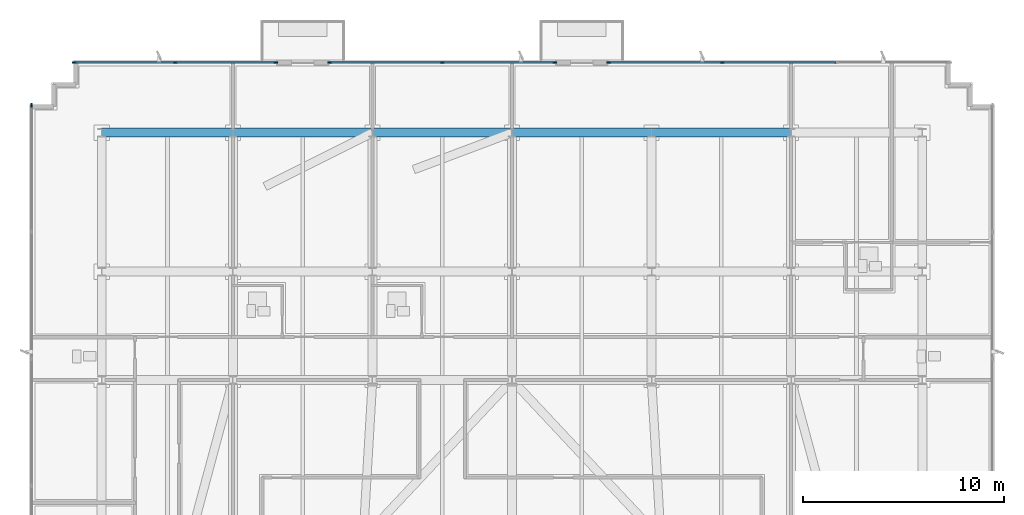
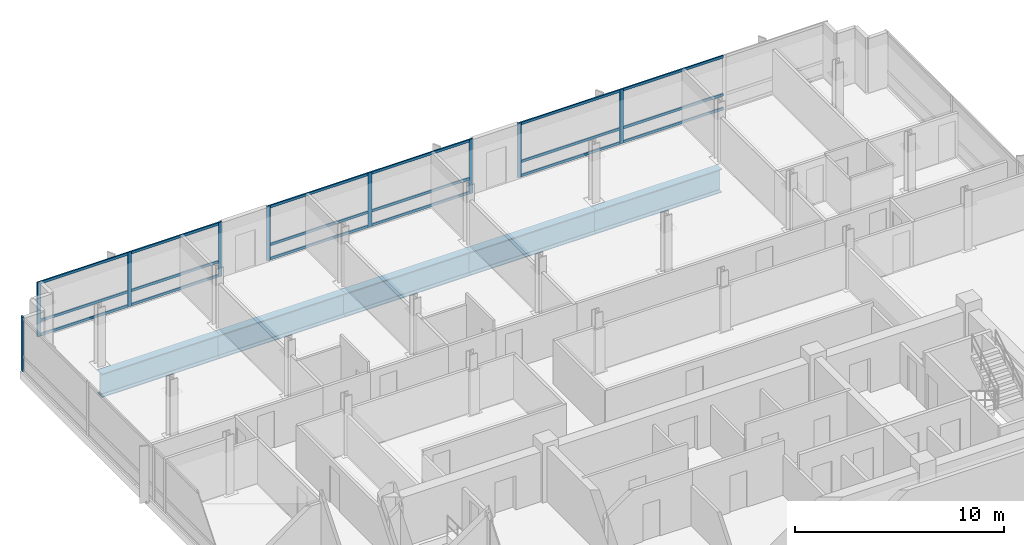
# One storey, part 5 of 16: 27 members, 5 beams, 4 elements without a shape of their own.
"""IFC4 building model written with IfcOpenShell, lengths in metres."""

from ifc_helpers import new_model, si_unit, direction, frame, origin, origin_2d, place, context, subcontext, project, spatial, rectangle, i_section, extrude, material, material_profile, profile_set, type_object, element, aggregate, save


model = new_model("IFC4")

# Units and contexts
model_context = context("Model", 3, precision=1e-05, world=origin(), true_north=direction((0.0, 1.0)))
body_context = subcontext(model_context, "Body", "Model", "MODEL_VIEW")
ifc_project = project(units=[si_unit("LENGTHUNIT", "METRE"), si_unit("AREAUNIT", "SQUARE_METRE"), si_unit("VOLUMEUNIT", "CUBIC_METRE"), si_unit("PLANEANGLEUNIT", "RADIAN"), si_unit("MASSUNIT", "GRAM", prefix="KILO")], contexts=[model_context])

# Site, building, storey
site_placement = place(None, origin())
site = spatial("IfcSite", under=ifc_project, at=site_placement, CompositionType="ELEMENT")
building_placement = place(site_placement, origin())
building = spatial("IfcBuilding", under=site, at=building_placement, Name="Solmavex Isthmus Hotel", CompositionType="ELEMENT")
storey_placement = place(building_placement, frame((0.0, 0.0, 245.39990234375)))
storey = spatial("IfcBuildingStorey", under=building, at=storey_placement, Name="L66", CompositionType="ELEMENT", Elevation=245.39990234375)

# Beams
ifc_material_1 = material(Name="Steel ASTM A572 Grade 50", Category="steel")
ifc_material_profile_1 = material_profile(ifc_material_1, i_section(OverallWidth=0.43994140625, OverallDepth=1.3798828125, WebThickness=0.030029296875, FlangeThickness=0.054931640625, FilletRadius=0.030517578125, at=origin_2d()), Name="I1380X440")
ifc_profile_set_1 = profile_set([ifc_material_profile_1], Name="Steel ASTM A572 Grade 50")
beam_type = type_object("IfcBeamType", Name="BM-TG-I1380", PredefinedType="BEAM", material=ifc_profile_set_1)
beam_placement = place(storey_placement, frame((-20.39990234375, 17.699951171875, -1.139892578125), z_axis=(1.0, 0.0, 0.0), x_axis=(0.0, 1.0, 0.0)))
element("IfcBeam", 1, at=beam_placement, inside=storey, type_object=beam_type, Name="Outrigger Collector Girder L66-UG15", PredefinedType="BEAM", context=body_context, shape_type="SweptSolid", body=[
    extrude(i_section(OverallWidth=0.43994140625, OverallDepth=1.3798828125, WebThickness=0.030029296875, FlangeThickness=0.054931640625, FilletRadius=0.030517578125, at=origin_2d()), origin(), (0.0, 0.0, 1.0), 6.52783203125),
])
for number, where, z_axis, x_axis, name in (
    (2, (-13.8720703125, 17.699951171875, -1.139892578125), (1.0, 0.0, 0.0), (0.0, 1.0, 0.0), "Outrigger Collector Girder L66-UG16"),
    (3, (-6.93603515625, 17.699951171875, -1.139892578125), (1.0, 0.0, 0.0), (0.0, 1.0, 0.0), "Outrigger Collector Girder L66-UG17"),
    (4, (0.0, 17.699951171875, -1.139892578125), (1.0, 0.0, 0.0), (0.0, 1.0, 0.0), "Outrigger Collector Girder L66-UG18"),
    (5, (6.93603515625, 17.699951171875, -1.139892578125), (1.0, 0.0, 0.0), (0.0, 1.0, 0.0), "Outrigger Collector Girder L66-UG19"),
):
    element("IfcBeam", number, at=place(storey_placement, frame(where, z_axis=z_axis, x_axis=x_axis)), inside=storey, type_object=beam_type, Name=name, PredefinedType="BEAM", context=body_context, shape_type="SweptSolid", body=[
        extrude(i_section(OverallWidth=0.43994140625, OverallDepth=1.3798828125, WebThickness=0.030029296875, FlangeThickness=0.054931640625, FilletRadius=0.030517578125, at=origin_2d()), origin(), (0.0, 0.0, 1.0), 6.93603515625),
    ])

# Curtain wall, members
ifc_material_2 = material(Name="Aluminium alloy 6063-T6", Category="aluminium")
curtain_wall_type = type_object("IfcCurtainWallType", Name="CW-SYS-04", PredefinedType="NOTDEFINED", material=ifc_material_2)
curtain_wall_1_placement = place(storey_placement, origin())
curtain_wall_1 = element("IfcCurtainWall", 6, at=curtain_wall_1_placement, inside=storey, type_object=curtain_wall_type, Name="Stick Curtain Wall CWL-L66-N1", PredefinedType="NOTDEFINED")
ifc_material_profile_2 = material_profile(ifc_material_2, rectangle(XDim=0.074951171875, YDim=0.199951171875, at=origin_2d()), Name="CWM-75X200")
ifc_profile_set_2 = profile_set([ifc_material_profile_2], Name="Aluminium alloy 6063-T6")
member_type_1 = type_object("IfcMemberType", Name="CW-SYS-04-MUL", PredefinedType="MULLION", material=ifc_profile_set_2)
member_1_placement = place(storey_placement, frame((-21.762451171875, 21.179931640625, 0.0), z_axis=(0.0, 0.0, 1.0), x_axis=(0.0, 1.0, 0.0)))
member_1 = element("IfcMember", 7, at=member_1_placement, type_object=member_type_1, Name="CW-04 mullion 1", PredefinedType="MULLION", context=body_context, shape_type="SweptSolid", body=[
    extrude(rectangle(XDim=0.074951171875, YDim=0.199951171875, at=origin_2d()), origin(), (0.0, 0.0, 1.0), 3.190185546875),
])
member_2_placement = place(storey_placement, frame((-16.751953125, 21.179931640625, 0.0), z_axis=(0.0, 0.0, 1.0), x_axis=(0.0, 1.0, 0.0)))
member_2 = element("IfcMember", 8, at=member_2_placement, type_object=member_type_1, Name="CW-04 mullion 2", PredefinedType="MULLION", context=body_context, shape_type="SweptSolid", body=[
    extrude(rectangle(XDim=0.074951171875, YDim=0.199951171875, at=origin_2d()), origin(), (0.0, 0.0, 1.0), 3.190185546875),
])
member_3_placement = place(storey_placement, frame((-11.741455078125, 21.179931640625, 0.0), z_axis=(0.0, 0.0, 1.0), x_axis=(0.0, 1.0, 0.0)))
member_3 = element("IfcMember", 9, at=member_3_placement, type_object=member_type_1, Name="CW-04 mullion 3", PredefinedType="MULLION", context=body_context, shape_type="SweptSolid", body=[
    extrude(rectangle(XDim=0.074951171875, YDim=0.199951171875, at=origin_2d()), origin(), (0.0, 0.0, 1.0), 3.190185546875),
])

curtain_wall_2_placement = place(storey_placement, origin())
curtain_wall_2 = element("IfcCurtainWall", 10, at=curtain_wall_2_placement, inside=storey, type_object=curtain_wall_type, Name="Stick Curtain Wall CWL-L66-N2", PredefinedType="NOTDEFINED")
member_4_placement = place(storey_placement, frame((-9.06640625, 21.179931640625, 0.0), z_axis=(0.0, 0.0, 1.0), x_axis=(0.0, 1.0, 0.0)))
member_4 = element("IfcMember", 11, at=member_4_placement, type_object=member_type_1, Name="CW-04 mullion 1", PredefinedType="MULLION", context=body_context, shape_type="SweptSolid", body=[
    extrude(rectangle(XDim=0.074951171875, YDim=0.199951171875, at=origin_2d()), origin(), (0.0, 0.0, 1.0), 3.190185546875),
])
member_5_placement = place(storey_placement, frame((-3.468017578125, 21.179931640625, 0.0), z_axis=(0.0, 0.0, 1.0), x_axis=(0.0, 1.0, 0.0)))
member_5 = element("IfcMember", 12, at=member_5_placement, type_object=member_type_1, Name="CW-04 mullion 2", PredefinedType="MULLION", context=body_context, shape_type="SweptSolid", body=[
    extrude(rectangle(XDim=0.074951171875, YDim=0.199951171875, at=origin_2d()), origin(), (0.0, 0.0, 1.0), 3.190185546875),
])
member_6_placement = place(storey_placement, frame((2.130615234375, 21.179931640625, 0.0), z_axis=(0.0, 0.0, 1.0), x_axis=(0.0, 1.0, 0.0)))
member_6 = element("IfcMember", 13, at=member_6_placement, type_object=member_type_1, Name="CW-04 mullion 3", PredefinedType="MULLION", context=body_context, shape_type="SweptSolid", body=[
    extrude(rectangle(XDim=0.074951171875, YDim=0.199951171875, at=origin_2d()), origin(), (0.0, 0.0, 1.0), 3.190185546875),
])

curtain_wall_3_placement = place(storey_placement, origin())
curtain_wall_3 = element("IfcCurtainWall", 14, at=curtain_wall_3_placement, inside=storey, type_object=curtain_wall_type, Name="Stick Curtain Wall CWL-L66-N3", PredefinedType="NOTDEFINED")
member_7_placement = place(storey_placement, frame((4.805419921875, 21.179931640625, 0.0), z_axis=(0.0, 0.0, 1.0), x_axis=(0.0, 1.0, 0.0)))
member_7 = element("IfcMember", 15, at=member_7_placement, type_object=member_type_1, Name="CW-04 mullion 1", PredefinedType="MULLION", context=body_context, shape_type="SweptSolid", body=[
    extrude(rectangle(XDim=0.074951171875, YDim=0.199951171875, at=origin_2d()), origin(), (0.0, 0.0, 1.0), 3.190185546875),
])
member_8_placement = place(storey_placement, frame((10.4453125, 21.179931640625, 0.0), z_axis=(0.0, 0.0, 1.0), x_axis=(0.0, 1.0, 0.0)))
member_8 = element("IfcMember", 16, at=member_8_placement, type_object=member_type_1, Name="CW-04 mullion 2", PredefinedType="MULLION", context=body_context, shape_type="SweptSolid", body=[
    extrude(rectangle(XDim=0.074951171875, YDim=0.199951171875, at=origin_2d()), origin(), (0.0, 0.0, 1.0), 3.190185546875),
])

# Curtain wall, member
curtain_wall_4_placement = place(storey_placement, origin())
curtain_wall_4 = element("IfcCurtainWall", 17, at=curtain_wall_4_placement, inside=storey, type_object=curtain_wall_type, Name="Stick Curtain Wall CWL-L66-W1", PredefinedType="NOTDEFINED")
member_9_placement = place(storey_placement, frame((-23.8798828125, 19.0625, 0.0), z_axis=(0.0, 0.0, 1.0), x_axis=(-1.0, 0.0, 0.0)))
member_9 = element("IfcMember", 18, at=member_9_placement, type_object=member_type_1, Name="CW-04 mullion 6", PredefinedType="MULLION", context=body_context, shape_type="SweptSolid", body=[
    extrude(rectangle(XDim=0.074951171875, YDim=0.199951171875, at=origin_2d()), origin(), (0.0, 0.0, 1.0), 3.190185546875),
])
aggregate(curtain_wall_4, [member_9])

# Member
ifc_material_profile_3 = material_profile(ifc_material_2, rectangle(XDim=0.074951171875, YDim=0.14990234375, at=origin_2d()), Name="CWT-75X150")
ifc_profile_set_3 = profile_set([ifc_material_profile_3], Name="Aluminium alloy 6063-T6")
member_type_2 = type_object("IfcMemberType", Name="CW-SYS-04-TRN", PredefinedType="USERDEFINED", material=ifc_profile_set_3)
member_10_placement = place(storey_placement, frame((-21.72509765625, 21.179931640625, 0.0751953125), z_axis=(1.0, 0.0, 0.0), x_axis=(0.0, 1.0, 0.0)))
member_10 = element("IfcMember", 19, at=member_10_placement, type_object=member_type_2, Name="CW-04 transom 1.1", ObjectType="TRANSOM", PredefinedType="USERDEFINED", context=body_context, shape_type="SweptSolid", body=[
    extrude(rectangle(XDim=0.074951171875, YDim=0.14990234375, at=origin_2d()), origin(), (0.0, 0.0, 1.0), 4.935546875),
])

member_11_placement = place(storey_placement, frame((-21.72509765625, 21.179931640625, 0.900146484375), z_axis=(1.0, 0.0, 0.0), x_axis=(0.0, 1.0, 0.0)))
member_11 = element("IfcMember", 20, at=member_11_placement, type_object=member_type_2, Name="CW-04 transom 1.2", ObjectType="TRANSOM", PredefinedType="USERDEFINED", context=body_context, shape_type="SweptSolid", body=[
    extrude(rectangle(XDim=0.074951171875, YDim=0.14990234375, at=origin_2d()), origin(), (0.0, 0.0, 1.0), 4.935546875),
])

member_12_placement = place(storey_placement, frame((-21.72509765625, 21.179931640625, 3.114990234375), z_axis=(1.0, 0.0, 0.0), x_axis=(0.0, 1.0, 0.0)))
member_12 = element("IfcMember", 21, at=member_12_placement, type_object=member_type_2, Name="CW-04 transom 1.3", ObjectType="TRANSOM", PredefinedType="USERDEFINED", context=body_context, shape_type="SweptSolid", body=[
    extrude(rectangle(XDim=0.074951171875, YDim=0.14990234375, at=origin_2d()), origin(), (0.0, 0.0, 1.0), 4.935546875),
])

member_13_placement = place(storey_placement, frame((-16.714599609375, 21.179931640625, 0.0751953125), z_axis=(1.0, 0.0, 0.0), x_axis=(0.0, 1.0, 0.0)))
member_13 = element("IfcMember", 22, at=member_13_placement, type_object=member_type_2, Name="CW-04 transom 2.1", ObjectType="TRANSOM", PredefinedType="USERDEFINED", context=body_context, shape_type="SweptSolid", body=[
    extrude(rectangle(XDim=0.074951171875, YDim=0.14990234375, at=origin_2d()), origin(), (0.0, 0.0, 1.0), 4.935546875),
])

member_14_placement = place(storey_placement, frame((-16.714599609375, 21.179931640625, 0.900146484375), z_axis=(1.0, 0.0, 0.0), x_axis=(0.0, 1.0, 0.0)))
member_14 = element("IfcMember", 23, at=member_14_placement, type_object=member_type_2, Name="CW-04 transom 2.2", ObjectType="TRANSOM", PredefinedType="USERDEFINED", context=body_context, shape_type="SweptSolid", body=[
    extrude(rectangle(XDim=0.074951171875, YDim=0.14990234375, at=origin_2d()), origin(), (0.0, 0.0, 1.0), 4.935546875),
])

member_15_placement = place(storey_placement, frame((-16.714599609375, 21.179931640625, 3.114990234375), z_axis=(1.0, 0.0, 0.0), x_axis=(0.0, 1.0, 0.0)))
member_15 = element("IfcMember", 24, at=member_15_placement, type_object=member_type_2, Name="CW-04 transom 2.3", ObjectType="TRANSOM", PredefinedType="USERDEFINED", context=body_context, shape_type="SweptSolid", body=[
    extrude(rectangle(XDim=0.074951171875, YDim=0.14990234375, at=origin_2d()), origin(), (0.0, 0.0, 1.0), 4.935546875),
])

aggregate(curtain_wall_1, [member_1, member_2, member_3, member_10, member_11, member_12, member_13, member_14, member_15])

member_16_placement = place(storey_placement, frame((-9.029052734375, 21.179931640625, 0.0751953125), z_axis=(1.0, 0.0, 0.0), x_axis=(0.0, 1.0, 0.0)))
member_16 = element("IfcMember", 25, at=member_16_placement, type_object=member_type_2, Name="CW-04 transom 1.1", ObjectType="TRANSOM", PredefinedType="USERDEFINED", context=body_context, shape_type="SweptSolid", body=[
    extrude(rectangle(XDim=0.074951171875, YDim=0.14990234375, at=origin_2d()), origin(), (0.0, 0.0, 1.0), 5.5234375),
])

member_17_placement = place(storey_placement, frame((-9.029052734375, 21.179931640625, 0.900146484375), z_axis=(1.0, 0.0, 0.0), x_axis=(0.0, 1.0, 0.0)))
member_17 = element("IfcMember", 26, at=member_17_placement, type_object=member_type_2, Name="CW-04 transom 1.2", ObjectType="TRANSOM", PredefinedType="USERDEFINED", context=body_context, shape_type="SweptSolid", body=[
    extrude(rectangle(XDim=0.074951171875, YDim=0.14990234375, at=origin_2d()), origin(), (0.0, 0.0, 1.0), 5.5234375),
])

member_18_placement = place(storey_placement, frame((-9.029052734375, 21.179931640625, 3.114990234375), z_axis=(1.0, 0.0, 0.0), x_axis=(0.0, 1.0, 0.0)))
member_18 = element("IfcMember", 27, at=member_18_placement, type_object=member_type_2, Name="CW-04 transom 1.3", ObjectType="TRANSOM", PredefinedType="USERDEFINED", context=body_context, shape_type="SweptSolid", body=[
    extrude(rectangle(XDim=0.074951171875, YDim=0.14990234375, at=origin_2d()), origin(), (0.0, 0.0, 1.0), 5.5234375),
])

member_19_placement = place(storey_placement, frame((-3.430419921875, 21.179931640625, 0.0751953125), z_axis=(1.0, 0.0, 0.0), x_axis=(0.0, 1.0, 0.0)))
member_19 = element("IfcMember", 28, at=member_19_placement, type_object=member_type_2, Name="CW-04 transom 2.1", ObjectType="TRANSOM", PredefinedType="USERDEFINED", context=body_context, shape_type="SweptSolid", body=[
    extrude(rectangle(XDim=0.074951171875, YDim=0.14990234375, at=origin_2d()), origin(), (0.0, 0.0, 1.0), 5.5234375),
])

member_20_placement = place(storey_placement, frame((-3.430419921875, 21.179931640625, 0.900146484375), z_axis=(1.0, 0.0, 0.0), x_axis=(0.0, 1.0, 0.0)))
member_20 = element("IfcMember", 29, at=member_20_placement, type_object=member_type_2, Name="CW-04 transom 2.2", ObjectType="TRANSOM", PredefinedType="USERDEFINED", context=body_context, shape_type="SweptSolid", body=[
    extrude(rectangle(XDim=0.074951171875, YDim=0.14990234375, at=origin_2d()), origin(), (0.0, 0.0, 1.0), 5.5234375),
])

member_21_placement = place(storey_placement, frame((-3.430419921875, 21.179931640625, 3.114990234375), z_axis=(1.0, 0.0, 0.0), x_axis=(0.0, 1.0, 0.0)))
member_21 = element("IfcMember", 30, at=member_21_placement, type_object=member_type_2, Name="CW-04 transom 2.3", ObjectType="TRANSOM", PredefinedType="USERDEFINED", context=body_context, shape_type="SweptSolid", body=[
    extrude(rectangle(XDim=0.074951171875, YDim=0.14990234375, at=origin_2d()), origin(), (0.0, 0.0, 1.0), 5.5234375),
])

aggregate(curtain_wall_2, [member_4, member_5, member_6, member_16, member_17, member_18, member_19, member_20, member_21])

member_22_placement = place(storey_placement, frame((4.843017578125, 21.179931640625, 0.0751953125), z_axis=(1.0, 0.0, 0.0), x_axis=(0.0, 1.0, 0.0)))
member_22 = element("IfcMember", 31, at=member_22_placement, type_object=member_type_2, Name="CW-04 transom 1.1", ObjectType="TRANSOM", PredefinedType="USERDEFINED", context=body_context, shape_type="SweptSolid", body=[
    extrude(rectangle(XDim=0.074951171875, YDim=0.14990234375, at=origin_2d()), origin(), (0.0, 0.0, 1.0), 5.564697265625),
])

member_23_placement = place(storey_placement, frame((4.843017578125, 21.179931640625, 0.900146484375), z_axis=(1.0, 0.0, 0.0), x_axis=(0.0, 1.0, 0.0)))
member_23 = element("IfcMember", 32, at=member_23_placement, type_object=member_type_2, Name="CW-04 transom 1.2", ObjectType="TRANSOM", PredefinedType="USERDEFINED", context=body_context, shape_type="SweptSolid", body=[
    extrude(rectangle(XDim=0.074951171875, YDim=0.14990234375, at=origin_2d()), origin(), (0.0, 0.0, 1.0), 5.564697265625),
])

member_24_placement = place(storey_placement, frame((4.843017578125, 21.179931640625, 3.114990234375), z_axis=(1.0, 0.0, 0.0), x_axis=(0.0, 1.0, 0.0)))
member_24 = element("IfcMember", 33, at=member_24_placement, type_object=member_type_2, Name="CW-04 transom 1.3", ObjectType="TRANSOM", PredefinedType="USERDEFINED", context=body_context, shape_type="SweptSolid", body=[
    extrude(rectangle(XDim=0.074951171875, YDim=0.14990234375, at=origin_2d()), origin(), (0.0, 0.0, 1.0), 5.564697265625),
])

member_25_placement = place(storey_placement, frame((10.48291015625, 21.179931640625, 0.0751953125), z_axis=(1.0, 0.0, 0.0), x_axis=(0.0, 1.0, 0.0)))
member_25 = element("IfcMember", 34, at=member_25_placement, type_object=member_type_2, Name="CW-04 transom 2.1", ObjectType="TRANSOM", PredefinedType="USERDEFINED", context=body_context, shape_type="SweptSolid", body=[
    extrude(rectangle(XDim=0.074951171875, YDim=0.14990234375, at=origin_2d()), origin(), (0.0, 0.0, 1.0), 5.602294921875),
])

member_26_placement = place(storey_placement, frame((10.48291015625, 21.179931640625, 0.900146484375), z_axis=(1.0, 0.0, 0.0), x_axis=(0.0, 1.0, 0.0)))
member_26 = element("IfcMember", 35, at=member_26_placement, type_object=member_type_2, Name="CW-04 transom 2.2", ObjectType="TRANSOM", PredefinedType="USERDEFINED", context=body_context, shape_type="SweptSolid", body=[
    extrude(rectangle(XDim=0.074951171875, YDim=0.14990234375, at=origin_2d()), origin(), (0.0, 0.0, 1.0), 5.602294921875),
])

member_27_placement = place(storey_placement, frame((10.48291015625, 21.179931640625, 3.114990234375), z_axis=(1.0, 0.0, 0.0), x_axis=(0.0, 1.0, 0.0)))
member_27 = element("IfcMember", 36, at=member_27_placement, type_object=member_type_2, Name="CW-04 transom 2.3", ObjectType="TRANSOM", PredefinedType="USERDEFINED", context=body_context, shape_type="SweptSolid", body=[
    extrude(rectangle(XDim=0.074951171875, YDim=0.14990234375, at=origin_2d()), origin(), (0.0, 0.0, 1.0), 5.602294921875),
])

aggregate(curtain_wall_3, [member_7, member_8, member_22, member_23, member_24, member_25, member_26, member_27])

save(model, "model.ifc")
